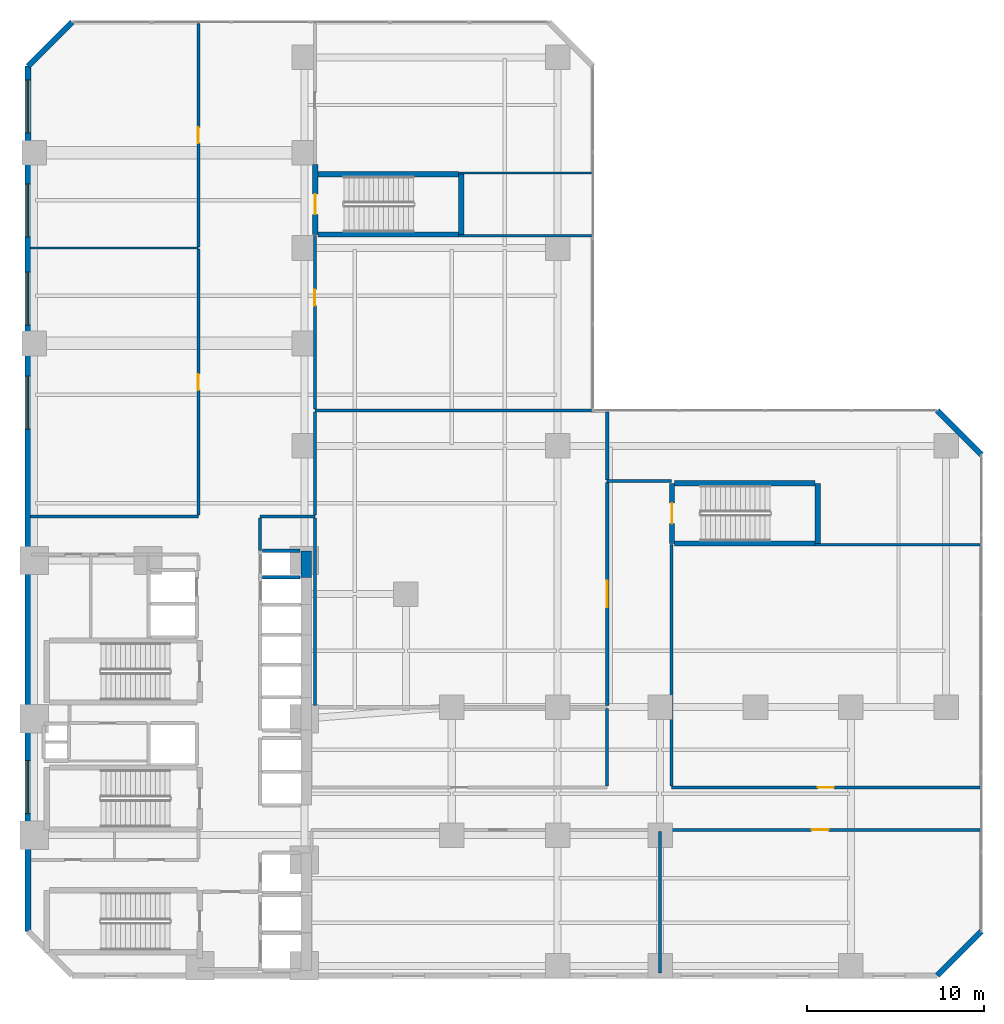
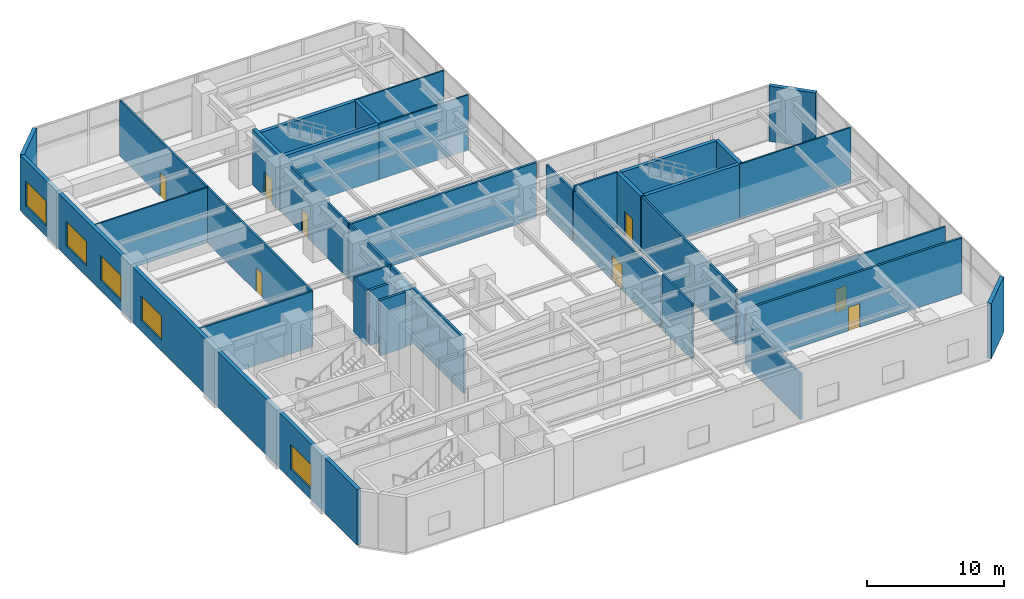
# One storey, part 16 of 22: 36 walls, 8 doors, 5 windows, 13 openings.
"""IFC4 building model written with IfcOpenShell, lengths in metres."""

from ifc_helpers import new_model, si_unit, direction, frame, frame_2d, origin, place, context, subcontext, project, spatial, rectangle, extrude, material, layer, layer_set, type_object, element, fill, save


model = new_model("IFC4")

# Units and contexts
model_context = context("Model", 3, precision=1e-05, world=origin(), true_north=direction((0.0, 1.0)))
body_context = subcontext(model_context, "Body", "Model", "MODEL_VIEW")
ifc_project = project(units=[si_unit("LENGTHUNIT", "METRE"), si_unit("AREAUNIT", "SQUARE_METRE"), si_unit("VOLUMEUNIT", "CUBIC_METRE"), si_unit("PLANEANGLEUNIT", "RADIAN"), si_unit("MASSUNIT", "GRAM", prefix="KILO")], contexts=[model_context])

# Site, building, storey
site_placement = place(None, origin())
site = spatial("IfcSite", under=ifc_project, at=site_placement, CompositionType="ELEMENT")
building_placement = place(site_placement, origin())
building = spatial("IfcBuilding", under=site, at=building_placement, Name="Mawjaban Terraces University", CompositionType="ELEMENT")
storey_placement = place(building_placement, frame((0.0, 0.0, 10.39990234375)))
storey = spatial("IfcBuildingStorey", under=building, at=storey_placement, Name="L02", CompositionType="ELEMENT", Elevation=10.39990234375)

# Wall
ifc_material_1 = material(Name="Acoustic masonry blockwork", Category="masonry")
ifc_layer_1 = layer(ifc_material_1, 0.179931640625)
ifc_layer_set_1 = layer_set([ifc_layer_1], Name="Acoustic masonry blockwork")
wall_type_1 = type_object("IfcWallType", Name="AcousticStudioWall_180", PredefinedType="PARTITIONING", material=ifc_layer_set_1)
wall_1_placement = place(storey_placement, frame((38.25, 32.0, 0.0), z_axis=(0.0, 0.0, 1.0), x_axis=(1.0, 0.0, 0.0)))
element("IfcWall", 1, at=wall_1_placement, inside=storey, type_object=wall_type_1, Name="L02 Digital Scholarship Reading Hall Partition 15", PredefinedType="PARTITIONING", context=body_context, shape_type="SweptSolid", body=[
    extrude(rectangle(XDim=15.659912109375, YDim=0.179931640625, at=frame_2d((7.830078125, 0.0))), origin(), (0.0, 0.0, 1.0), 4.920166015625),
])

# Wall, opening, door
wall_2_placement = place(storey_placement, frame((57.800048828125, 8.25, 0.0), z_axis=(0.0, 0.0, 1.0), x_axis=(1.0, 0.0, 0.0)))
wall_2 = element("IfcWall", 2, at=wall_2_placement, inside=storey, type_object=wall_type_1, Name="L02 Podium Academic Gallery Corridor Partition 19", PredefinedType="PARTITIONING", context=body_context, shape_type="SweptSolid", body=[
    extrude(rectangle(XDim=18.119873046875, YDim=0.179931640625, at=frame_2d((9.06005859375, 0.0))), origin(), (0.0, 0.0, 1.0), 4.920166015625),
])
opening_1_placement = place(wall_2_placement, frame((8.5849609375, 0.0, 0.0)))
opening_1 = element("IfcOpeningElement", 3, at=opening_1_placement, cuts=wall_2, Name="Opening ID-095", PredefinedType="OPENING", context=body_context, shape_type="SweptSolid", body=[
    extrude(rectangle(XDim=0.949951171875, YDim=2.10009765625, at=frame_2d((0.47509765625, 1.050048828125))), frame((0.0, 0.099853515625, 0.0), z_axis=(0.0, -1.0, 0.0), x_axis=(1.0, 0.0, 0.0)), (0.0, 0.0, 1.0), 0.199951171875),
])
ifc_material_2 = material(Name="Powder-coated steel frame and solid acoustic timber leaf", Category="steel")
door_type_1 = type_object("IfcDoorType", Name="StudioDoor_950x2100", OperationType="NOTDEFINED", PredefinedType="DOOR", material=ifc_material_2)
door_1_placement = place(opening_1_placement, origin())
door_1 = element("IfcDoor", 4, at=door_1_placement, inside=storey, type_object=door_type_1, Name="L02 Instructional Media Studio Door", OperationType="SINGLE_SWING_LEFT", OverallHeight=2.10009765625, OverallWidth=0.949951171875, PredefinedType="DOOR", context=body_context, shape_type="SweptSolid", body=[
    extrude(rectangle(XDim=0.949951171875, YDim=2.10009765625, at=frame_2d((0.47509765625, 1.050048828125))), frame((0.0, 0.02490234375, 0.0), z_axis=(0.0, -1.0, 0.0), x_axis=(1.0, 0.0, 0.0)), (0.0, 0.0, 1.0), 0.050048828125),
])
fill(opening_1, door_1)

# Walls
wall_3_placement = place(storey_placement, frame((38.25, 25.925048828125, 0.0), z_axis=(0.0, 0.0, 1.0), x_axis=(0.0, -1.0, 0.0)))
element("IfcWall", 5, at=wall_3_placement, inside=storey, type_object=wall_type_1, Name="L02 Fixed-Seat Lecture Theatre Partition 33", PredefinedType="PARTITIONING", context=body_context, shape_type="SweptSolid", body=[
    extrude(rectangle(XDim=10.64013671875, YDim=0.179931640625, at=frame_2d((5.320068359375, 0.0))), origin(), (0.0, 0.0, 1.0), 4.920166015625),
])
wall_4_placement = place(storey_placement, frame((38.25, 26.074951171875, 0.0), z_axis=(0.0, 0.0, 1.0), x_axis=(0.0, 1.0, 0.0)))
element("IfcWall", 6, at=wall_4_placement, inside=storey, type_object=wall_type_1, Name="L02 Podium Library Concourse Partition 34", PredefinedType="PARTITIONING", context=body_context, shape_type="SweptSolid", body=[
    extrude(rectangle(XDim=5.840087890625, YDim=0.179931640625, at=frame_2d((2.919921875, 0.0))), origin(), (0.0, 0.0, 1.0), 4.920166015625),
])
wall_5_placement = place(storey_placement, frame((54.800048828125, 28.074951171875, 0.0), z_axis=(0.0, 0.0, 1.0), x_axis=(0.0, 1.0, 0.0)))
element("IfcWall", 7, at=wall_5_placement, inside=storey, type_object=wall_type_1, Name="L02 Fixed-Seat Lecture Theatre Partition 38", PredefinedType="PARTITIONING", context=body_context, shape_type="SweptSolid", body=[
    extrude(rectangle(XDim=3.8349609375, YDim=0.179931640625, at=frame_2d((1.91748046875, 0.0))), origin(), (0.0, 0.0, 1.0), 4.451171875),
])

# Wall, opening, door
wall_6_placement = place(storey_placement, frame((54.800048828125, 27.925048828125, 0.0), z_axis=(0.0, 0.0, 1.0), x_axis=(0.0, -1.0, 0.0)))
wall_6 = element("IfcWall", 8, at=wall_6_placement, inside=storey, type_object=wall_type_1, Name="L02 East Stair Access Corridor Partition 39", PredefinedType="PARTITIONING", context=body_context, shape_type="SweptSolid", body=[
    extrude(rectangle(XDim=12.64013671875, YDim=0.179931640625, at=frame_2d((6.320068359375, 0.0))), origin(), (0.0, 0.0, 1.0), 4.451171875),
])
opening_2_placement = place(wall_6_placement, frame((5.570068359375, 0.0, 0.0)))
opening_2 = element("IfcOpeningElement", 9, at=opening_2_placement, cuts=wall_6, Name="Opening ID-150", PredefinedType="OPENING", context=body_context, shape_type="SweptSolid", body=[
    extrude(rectangle(XDim=1.5, YDim=2.199951171875, at=frame_2d((0.75, 1.10009765625))), frame((0.0, 0.099853515625, 0.0), z_axis=(0.0, -1.0, 0.0), x_axis=(1.0, 0.0, 0.0)), (0.0, 0.0, 1.0), 0.199951171875),
])
ifc_material_3 = material(Name="Powder-coated steel frame and fire-rated steel-faced leaf", Category="steel")
door_type_2 = type_object("IfcDoorType", Name="LectureDoubleDoor_1500x2200", OperationType="NOTDEFINED", PredefinedType="DOOR", material=ifc_material_3)
door_2_placement = place(opening_2_placement, origin())
door_2 = element("IfcDoor", 10, at=door_2_placement, inside=storey, type_object=door_type_2, Name="L02 Fixed-Seat Lecture Theatre Door", OperationType="SINGLE_SWING_LEFT", OverallHeight=2.199951171875, OverallWidth=1.5, PredefinedType="DOOR", context=body_context, shape_type="SweptSolid", body=[
    extrude(rectangle(XDim=1.5, YDim=2.199951171875, at=frame_2d((0.75, 1.10009765625))), frame((0.0, 0.02490234375, 0.0), z_axis=(0.0, -1.0, 0.0), x_axis=(1.0, 0.0, 0.0)), (0.0, 0.0, 1.0), 0.050048828125),
])
fill(opening_2, door_2)

# Walls
wall_7_placement = place(storey_placement, frame((57.800048828125, 0.155029296875, 0.0), z_axis=(0.0, 0.0, 1.0), x_axis=(0.0, 1.0, 0.0)))
element("IfcWall", 11, at=wall_7_placement, inside=storey, type_object=wall_type_1, Name="L02 Foundation Seminar Classroom Partition 40", PredefinedType="PARTITIONING", context=body_context, shape_type="SweptSolid", body=[
    extrude(rectangle(XDim=8.010009765625, YDim=0.179931640625, at=frame_2d((4.0048828125, 0.0))), origin(), (0.0, 0.0, 1.0), 4.065185546875),
])
ifc_material_4 = material(Name="Concrete C70/85", Category="concrete")
ifc_layer_2 = layer(ifc_material_4, 0.60009765625)
ifc_layer_set_2 = layer_set([ifc_layer_2], Name="Concrete C70/85")
wall_type_2 = type_object("IfcWallType", Name="CoreShearWall_600", PredefinedType="SHEAR", material=ifc_layer_set_2)
wall_8_placement = place(storey_placement, frame((37.75, 22.550048828125, 0.0), z_axis=(0.0, 0.0, 1.0), x_axis=(0.0, 1.0, 0.0)))
element("IfcWall", 12, at=wall_8_placement, inside=storey, type_object=wall_type_2, Name="L02 Lift PL-L2 Hoistway Wall East", PredefinedType="SHEAR", context=body_context, shape_type="SweptSolid", body=[
    extrude(rectangle(XDim=1.5, YDim=0.60009765625, at=frame_2d((0.75, 0.0))), origin(), (0.0, 0.0, 1.0), 4.920166015625),
])
ifc_material_5 = material(Name="Fire-rated gypsum board on steel stud", Category="steel")
ifc_layer_3 = layer(ifc_material_5, 0.159912109375)
ifc_layer_set_3 = layer_set([ifc_layer_3], Name="Fire-rated gypsum board on steel stud")
wall_type_3 = type_object("IfcWallType", Name="CorridorPartition_160", PredefinedType="PARTITIONING", material=ifc_layer_set_3)
wall_9_placement = place(storey_placement, frame((31.64990234375, 26.0, 0.0), z_axis=(0.0, 0.0, 1.0), x_axis=(-1.0, 0.0, 0.0)))
element("IfcWall", 13, at=wall_9_placement, inside=storey, type_object=wall_type_3, Name="L02 North Core Cross-Corridor Partition 9", PredefinedType="PARTITIONING", context=body_context, shape_type="SweptSolid", body=[
    extrude(rectangle(XDim=9.494873046875, YDim=0.159912109375, at=frame_2d((4.74755859375, 0.0))), origin(), (0.0, 0.0, 1.0), 4.920166015625),
])
wall_10_placement = place(storey_placement, frame((35.14990234375, 26.0, 0.0), z_axis=(0.0, 0.0, 1.0), x_axis=(1.0, 0.0, 0.0)))
element("IfcWall", 14, at=wall_10_placement, inside=storey, type_object=wall_type_3, Name="L02 Podium Library Concourse Partition 12", PredefinedType="PARTITIONING", context=body_context, shape_type="SweptSolid", body=[
    extrude(rectangle(XDim=3.10009765625, YDim=0.159912109375, at=frame_2d((1.550048828125, 0.0))), origin(), (0.0, 0.0, 1.0), 4.920166015625),
])
wall_11_placement = place(storey_placement, frame((58.449951171875, 28.0, 0.0), z_axis=(0.0, 0.0, 1.0), x_axis=(-1.0, 0.0, 0.0)))
element("IfcWall", 15, at=wall_11_placement, inside=storey, type_object=wall_type_3, Name="L02 East Stair Access Corridor Partition 20", PredefinedType="PARTITIONING", context=body_context, shape_type="SweptSolid", body=[
    extrude(rectangle(XDim=3.64990234375, YDim=0.159912109375, at=frame_2d((1.824951171875, 0.0))), origin(), (0.0, 0.0, 1.0), 4.920166015625),
])

# Wall, opening, door
wall_12_placement = place(storey_placement, frame((75.919921875, 10.64990234375, 0.0), z_axis=(0.0, 0.0, 1.0), x_axis=(-1.0, 0.0, 0.0)))
wall_12 = element("IfcWall", 16, at=wall_12_placement, inside=storey, type_object=wall_type_3, Name="L02 Podium Academic Gallery Corridor Partition 21", PredefinedType="PARTITIONING", context=body_context, shape_type="SweptSolid", body=[
    extrude(rectangle(XDim=17.469970703125, YDim=0.159912109375, at=frame_2d((8.73486328125, 0.0))), origin(), (0.0, 0.0, 1.0), 4.451171875),
])
opening_3_placement = place(wall_12_placement, frame((8.284912109375, 0.0, 0.0)))
opening_3 = element("IfcOpeningElement", 17, at=opening_3_placement, cuts=wall_12, Name="Opening ID-090", PredefinedType="OPENING", context=body_context, shape_type="SweptSolid", body=[
    extrude(rectangle(XDim=0.89990234375, YDim=2.10009765625, at=frame_2d((0.449951171875, 1.050048828125))), frame((0.0, 0.08984375, 0.0), z_axis=(0.0, -1.0, 0.0), x_axis=(1.0, 0.0, 0.0)), (0.0, 0.0, 1.0), 0.179931640625),
])
door_type_3 = type_object("IfcDoorType", Name="OfficeDoor_900x2100", OperationType="NOTDEFINED", PredefinedType="DOOR", material=ifc_material_2)
door_3_placement = place(opening_3_placement, origin())
door_3 = element("IfcDoor", 18, at=door_3_placement, inside=storey, type_object=door_type_3, Name="L02 Podium Colloquium Hall Door", OperationType="SINGLE_SWING_RIGHT", OverallHeight=2.10009765625, OverallWidth=0.89990234375, PredefinedType="DOOR", context=body_context, shape_type="SweptSolid", body=[
    extrude(rectangle(XDim=0.89990234375, YDim=2.10009765625, at=frame_2d((0.449951171875, 1.050048828125))), frame((0.0, 0.02490234375, 0.0), z_axis=(0.0, -1.0, 0.0), x_axis=(1.0, 0.0, 0.0)), (0.0, 0.0, 1.0), 0.050048828125),
])
fill(opening_3, door_3)

wall_13_placement = place(storey_placement, frame((31.64990234375, 41.14306640625, 0.0), z_axis=(0.0, 0.0, 1.0), x_axis=(0.0, -1.0, 0.0)))
wall_13 = element("IfcWall", 19, at=wall_13_placement, inside=storey, type_object=wall_type_3, Name="L02 Podium Library Concourse Partition 29", PredefinedType="PARTITIONING", context=body_context, shape_type="SweptSolid", body=[
    extrude(rectangle(XDim=15.068115234375, YDim=0.159912109375, at=frame_2d((7.5341796875, 0.0))), origin(), (0.0, 0.0, 1.0), 4.920166015625),
])
opening_4_placement = place(wall_13_placement, frame((7.083984375, 0.0, 0.0)))
opening_4 = element("IfcOpeningElement", 20, at=opening_4_placement, cuts=wall_13, Name="Opening ID-090", PredefinedType="OPENING", context=body_context, shape_type="SweptSolid", body=[
    extrude(rectangle(XDim=0.89990234375, YDim=2.10009765625, at=frame_2d((0.449951171875, 1.050048828125))), frame((0.0, 0.08984375, 0.0), z_axis=(0.0, -1.0, 0.0), x_axis=(1.0, 0.0, 0.0)), (0.0, 0.0, 1.0), 0.179931640625),
])
door_4_placement = place(opening_4_placement, origin())
door_4 = element("IfcDoor", 21, at=door_4_placement, inside=storey, type_object=door_type_3, Name="L02 Central Library Bookstack Hall Door", OperationType="SINGLE_SWING_RIGHT", OverallHeight=2.10009765625, OverallWidth=0.89990234375, PredefinedType="DOOR", context=body_context, shape_type="SweptSolid", body=[
    extrude(rectangle(XDim=0.89990234375, YDim=2.10009765625, at=frame_2d((0.449951171875, 1.050048828125))), frame((0.0, 0.02490234375, 0.0), z_axis=(0.0, -1.0, 0.0), x_axis=(1.0, 0.0, 0.0)), (0.0, 0.0, 1.0), 0.050048828125),
])
fill(opening_4, door_4)

wall_14_placement = place(storey_placement, frame((31.64990234375, 53.909912109375, 0.0), z_axis=(0.0, 0.0, 1.0), x_axis=(0.0, -1.0, 0.0)))
wall_14 = element("IfcWall", 22, at=wall_14_placement, inside=storey, type_object=wall_type_3, Name="L02 Podium Library Concourse Partition 30", PredefinedType="PARTITIONING", context=body_context, shape_type="SweptSolid", body=[
    extrude(rectangle(XDim=12.65185546875, YDim=0.159912109375, at=frame_2d((6.325927734375, 0.0))), origin(), (0.0, 0.0, 1.0), 4.920166015625),
])
opening_5_placement = place(wall_14_placement, frame((5.8759765625, 0.0, 0.0)))
opening_5 = element("IfcOpeningElement", 23, at=opening_5_placement, cuts=wall_14, Name="Opening ID-090", PredefinedType="OPENING", context=body_context, shape_type="SweptSolid", body=[
    extrude(rectangle(XDim=0.89990234375, YDim=2.10009765625, at=frame_2d((0.449951171875, 1.050048828125))), frame((0.0, 0.08984375, 0.0), z_axis=(0.0, -1.0, 0.0), x_axis=(1.0, 0.0, 0.0)), (0.0, 0.0, 1.0), 0.179931640625),
])
door_5_placement = place(opening_5_placement, origin())
door_5 = element("IfcDoor", 24, at=door_5_placement, inside=storey, type_object=door_type_3, Name="L02 Library Cataloguing and Faculty Office Door", OperationType="SINGLE_SWING_LEFT", OverallHeight=2.10009765625, OverallWidth=0.89990234375, PredefinedType="DOOR", context=body_context, shape_type="SweptSolid", body=[
    extrude(rectangle(XDim=0.89990234375, YDim=2.10009765625, at=frame_2d((0.449951171875, 1.050048828125))), frame((0.0, 0.02490234375, 0.0), z_axis=(0.0, -1.0, 0.0), x_axis=(1.0, 0.0, 0.0)), (0.0, 0.0, 1.0), 0.050048828125),
])
fill(opening_5, door_5)

# Wall
wall_15_placement = place(storey_placement, frame((35.14990234375, 24.070068359375, 0.0), z_axis=(0.0, 0.0, 1.0), x_axis=(0.0, 1.0, 0.0)))
element("IfcWall", 25, at=wall_15_placement, inside=storey, type_object=wall_type_3, Name="L02 North Core Cross-Corridor Partition 31", PredefinedType="PARTITIONING", context=body_context, shape_type="SweptSolid", body=[
    extrude(rectangle(XDim=1.85498046875, YDim=0.159912109375, at=frame_2d((0.927490234375, 0.0))), origin(), (0.0, 0.0, 1.0), 4.920166015625),
])

# Wall, opening, door
wall_16_placement = place(storey_placement, frame((38.25, 32.0849609375, 0.0), z_axis=(0.0, 0.0, 1.0), x_axis=(0.0, 1.0, 0.0)))
wall_16 = element("IfcWall", 26, at=wall_16_placement, inside=storey, type_object=wall_type_3, Name="L02 Podium Library Concourse Partition 35", PredefinedType="PARTITIONING", context=body_context, shape_type="SweptSolid", body=[
    extrude(rectangle(XDim=9.81494140625, YDim=0.159912109375, at=frame_2d((4.907470703125, 0.0))), origin(), (0.0, 0.0, 1.0), 4.920166015625),
])
opening_6_placement = place(wall_16_placement, frame((5.85693359375, 0.0, 0.0)))
opening_6 = element("IfcOpeningElement", 27, at=opening_6_placement, cuts=wall_16, Name="Opening ID-090", PredefinedType="OPENING", context=body_context, shape_type="SweptSolid", body=[
    extrude(rectangle(XDim=0.89990234375, YDim=2.10009765625, at=frame_2d((0.449951171875, 1.050048828125))), frame((0.0, 0.08984375, 0.0), z_axis=(0.0, -1.0, 0.0), x_axis=(1.0, 0.0, 0.0)), (0.0, 0.0, 1.0), 0.179931640625),
])
door_6_placement = place(opening_6_placement, origin())
door_6 = element("IfcDoor", 28, at=door_6_placement, inside=storey, type_object=door_type_3, Name="L02 Digital Scholarship Reading Hall Door", OperationType="SINGLE_SWING_RIGHT", OverallHeight=2.10009765625, OverallWidth=0.89990234375, PredefinedType="DOOR", context=body_context, shape_type="SweptSolid", body=[
    extrude(rectangle(XDim=0.89990234375, YDim=2.10009765625, at=frame_2d((0.449951171875, 1.050048828125))), frame((0.0, 0.02490234375, 0.0), z_axis=(0.0, -1.0, 0.0), x_axis=(1.0, 0.0, 0.0)), (0.0, 0.0, 1.0), 0.050048828125),
])
fill(opening_6, door_6)

# Walls
wall_17_placement = place(storey_placement, frame((54.800048828125, 15.114990234375, 0.0), z_axis=(0.0, 0.0, 1.0), x_axis=(0.0, -1.0, 0.0)))
element("IfcWall", 29, at=wall_17_placement, inside=storey, type_object=wall_type_3, Name="L02 East Stair Access Corridor Partition 37", PredefinedType="PARTITIONING", context=body_context, shape_type="SweptSolid", body=[
    extrude(rectangle(XDim=4.389892578125, YDim=0.159912109375, at=frame_2d((2.19482421875, 0.0))), origin(), (0.0, 0.0, 1.0), 4.920166015625),
])
wall_18_placement = place(storey_placement, frame((58.449951171875, 10.72509765625, 0.0), z_axis=(0.0, 0.0, 1.0), x_axis=(0.0, 1.0, 0.0)))
element("IfcWall", 30, at=wall_18_placement, inside=storey, type_object=wall_type_3, Name="L02 East Stair Access Corridor Partition 41", PredefinedType="PARTITIONING", context=body_context, shape_type="SweptSolid", body=[
    extrude(rectangle(XDim=13.6748046875, YDim=0.159912109375, at=frame_2d((6.83740234375, 0.0))), origin(), (0.0, 0.0, 1.0), 4.920166015625),
])
ifc_material_6 = material(Name="Insulated terracotta rainscreen on concrete backup C40/50", Category="masonry")
ifc_layer_4 = layer(ifc_material_6, 0.320068359375)
ifc_layer_set_4 = layer_set([ifc_layer_4], Name="Insulated terracotta rainscreen on concrete backup C40/50")
wall_type_4 = type_object("IfcWallType", Name="ExtTerracottaWall_320", PredefinedType="SOLIDWALL", material=ifc_layer_set_4)
for number, where, z_axis, x_axis, name in (
    (31, (73.5, 0.0, 0.0), (0.0, 0.0, 1.0), (0.707106781187, 0.707106781187, 0.0), "L02 Exterior Terracotta Wall 2"),
    (32, (76.0, 29.5, 0.0), (0.0, 0.0, 1.0), (-0.707106781187, 0.707106781187, 0.0), "L02 Exterior Terracotta Wall 4"),
    (33, (24.5, 54.0, 0.0), (0.0, 0.0, 1.0), (-0.707106781187, -0.707106781187, 0.0), "L02 Exterior Terracotta Wall 9"),
):
    element("IfcWall", number, at=place(storey_placement, frame(where, z_axis=z_axis, x_axis=x_axis)), inside=storey, type_object=wall_type_4, Name=name, PredefinedType="SOLIDWALL", context=body_context, shape_type="SweptSolid", body=[
        extrude(rectangle(XDim=3.53564453125, YDim=0.320068359375, at=frame_2d((1.767822265625, 0.0))), origin(), (0.0, 0.0, 1.0), 4.920166015625),
    ])

# Wall, openings, windows
wall_19_placement = place(storey_placement, frame((22.0, 51.5, 0.0), z_axis=(0.0, 0.0, 1.0), x_axis=(0.0, -1.0, 0.0)))
wall_19 = element("IfcWall", 34, at=wall_19_placement, inside=storey, type_object=wall_type_4, Name="L02 Exterior Terracotta Wall 10", PredefinedType="SOLIDWALL", context=body_context, shape_type="SweptSolid", body=[
    extrude(rectangle(XDim=49.0, YDim=0.320068359375, at=frame_2d((24.5, 0.0))), origin(), (0.0, 0.0, 1.0), 4.920166015625),
])
opening_7_placement = place(wall_19_placement, frame((0.77197265625, 0.0, 0.89990234375)))
opening_7 = element("IfcOpeningElement", 35, at=opening_7_placement, cuts=wall_19, Name="Opening W-12", PredefinedType="OPENING", context=body_context, shape_type="SweptSolid", body=[
    extrude(rectangle(XDim=3.0, YDim=2.199951171875, at=frame_2d((1.5, 1.10009765625))), frame((0.0, 0.169921875, 0.0), z_axis=(0.0, -1.0, 0.0), x_axis=(1.0, 0.0, 0.0)), (0.0, 0.0, 1.0), 0.340087890625),
])
opening_8_placement = place(wall_19_placement, frame((6.6669921875, 0.0, 0.89990234375)))
opening_8 = element("IfcOpeningElement", 36, at=opening_8_placement, cuts=wall_19, Name="Opening W-12", PredefinedType="OPENING", context=body_context, shape_type="SweptSolid", body=[
    extrude(rectangle(XDim=3.0, YDim=2.199951171875, at=frame_2d((1.5, 1.10009765625))), frame((0.0, 0.169921875, 0.0), z_axis=(0.0, -1.0, 0.0), x_axis=(1.0, 0.0, 0.0)), (0.0, 0.0, 1.0), 0.340087890625),
])
opening_9_placement = place(wall_19_placement, frame((11.660888671875, 0.0, 0.89990234375)))
opening_9 = element("IfcOpeningElement", 37, at=opening_9_placement, cuts=wall_19, Name="Opening W-12", PredefinedType="OPENING", context=body_context, shape_type="SweptSolid", body=[
    extrude(rectangle(XDim=3.0, YDim=2.199951171875, at=frame_2d((1.5, 1.10009765625))), frame((0.0, 0.169921875, 0.0), z_axis=(0.0, -1.0, 0.0), x_axis=(1.0, 0.0, 0.0)), (0.0, 0.0, 1.0), 0.340087890625),
])
opening_10_placement = place(wall_19_placement, frame((17.555908203125, 0.0, 0.89990234375)))
opening_10 = element("IfcOpeningElement", 38, at=opening_10_placement, cuts=wall_19, Name="Opening W-12", PredefinedType="OPENING", context=body_context, shape_type="SweptSolid", body=[
    extrude(rectangle(XDim=3.0, YDim=2.199951171875, at=frame_2d((1.5, 1.10009765625))), frame((0.0, 0.169921875, 0.0), z_axis=(0.0, -1.0, 0.0), x_axis=(1.0, 0.0, 0.0)), (0.0, 0.0, 1.0), 0.340087890625),
])
opening_11_placement = place(wall_19_placement, frame((39.3330078125, 0.0, 0.89990234375)))
opening_11 = element("IfcOpeningElement", 39, at=opening_11_placement, cuts=wall_19, Name="Opening W-12", PredefinedType="OPENING", context=body_context, shape_type="SweptSolid", body=[
    extrude(rectangle(XDim=3.0, YDim=2.199951171875, at=frame_2d((1.5, 1.10009765625))), frame((0.0, 0.169921875, 0.0), z_axis=(0.0, -1.0, 0.0), x_axis=(1.0, 0.0, 0.0)), (0.0, 0.0, 1.0), 0.340087890625),
])
ifc_material_7 = material(Name="Low-E solar-control double glazing in thermally broken aluminium frame", Category="aluminium")
window_type = type_object("IfcWindowType", Name="Win_3000x2200", PartitioningType="SINGLE_PANEL", PredefinedType="WINDOW", material=ifc_material_7)
window_1_placement = place(opening_7_placement, origin())
window_1 = element("IfcWindow", 40, at=window_1_placement, inside=storey, type_object=window_type, Name="L02 Facade Window 10.1", OverallHeight=2.199951171875, OverallWidth=3.0, PartitioningType="SINGLE_PANEL", PredefinedType="WINDOW", context=body_context, shape_type="SweptSolid", body=[
    extrude(rectangle(XDim=3.0, YDim=2.199951171875, at=frame_2d((1.5, 1.10009765625))), frame((0.0, 0.030029296875, 0.0), z_axis=(0.0, -1.0, 0.0), x_axis=(1.0, 0.0, 0.0)), (0.0, 0.0, 1.0), 0.06005859375),
])
fill(opening_7, window_1)
window_2_placement = place(opening_8_placement, origin())
window_2 = element("IfcWindow", 41, at=window_2_placement, inside=storey, type_object=window_type, Name="L02 Facade Window 10.2", OverallHeight=2.199951171875, OverallWidth=3.0, PartitioningType="SINGLE_PANEL", PredefinedType="WINDOW", context=body_context, shape_type="SweptSolid", body=[
    extrude(rectangle(XDim=3.0, YDim=2.199951171875, at=frame_2d((1.5, 1.10009765625))), frame((0.0, 0.030029296875, 0.0), z_axis=(0.0, -1.0, 0.0), x_axis=(1.0, 0.0, 0.0)), (0.0, 0.0, 1.0), 0.06005859375),
])
fill(opening_8, window_2)
window_3_placement = place(opening_9_placement, origin())
window_3 = element("IfcWindow", 42, at=window_3_placement, inside=storey, type_object=window_type, Name="L02 Facade Window 10.3", OverallHeight=2.199951171875, OverallWidth=3.0, PartitioningType="SINGLE_PANEL", PredefinedType="WINDOW", context=body_context, shape_type="SweptSolid", body=[
    extrude(rectangle(XDim=3.0, YDim=2.199951171875, at=frame_2d((1.5, 1.10009765625))), frame((0.0, 0.030029296875, 0.0), z_axis=(0.0, -1.0, 0.0), x_axis=(1.0, 0.0, 0.0)), (0.0, 0.0, 1.0), 0.06005859375),
])
fill(opening_9, window_3)
window_4_placement = place(opening_10_placement, origin())
window_4 = element("IfcWindow", 43, at=window_4_placement, inside=storey, type_object=window_type, Name="L02 Facade Window 10.4", OverallHeight=2.199951171875, OverallWidth=3.0, PartitioningType="SINGLE_PANEL", PredefinedType="WINDOW", context=body_context, shape_type="SweptSolid", body=[
    extrude(rectangle(XDim=3.0, YDim=2.199951171875, at=frame_2d((1.5, 1.10009765625))), frame((0.0, 0.030029296875, 0.0), z_axis=(0.0, -1.0, 0.0), x_axis=(1.0, 0.0, 0.0)), (0.0, 0.0, 1.0), 0.06005859375),
])
fill(opening_10, window_4)
window_5_placement = place(opening_11_placement, origin())
window_5 = element("IfcWindow", 44, at=window_5_placement, inside=storey, type_object=window_type, Name="L02 Facade Window 10.8", OverallHeight=2.199951171875, OverallWidth=3.0, PartitioningType="SINGLE_PANEL", PredefinedType="WINDOW", context=body_context, shape_type="SweptSolid", body=[
    extrude(rectangle(XDim=3.0, YDim=2.199951171875, at=frame_2d((1.5, 1.10009765625))), frame((0.0, 0.030029296875, 0.0), z_axis=(0.0, -1.0, 0.0), x_axis=(1.0, 0.0, 0.0)), (0.0, 0.0, 1.0), 0.06005859375),
])
fill(opening_11, window_5)

# Walls
ifc_material_8 = material(Name="Concrete C40/50", Category="concrete")
ifc_layer_5 = layer(ifc_material_8, 0.199951171875)
ifc_layer_set_5 = layer_set([ifc_layer_5], Name="Concrete C40/50")
wall_type_5 = type_object("IfcWallType", Name="FireLobbyWall_200", PredefinedType="SOLIDWALL", material=ifc_layer_set_5)
for number, where, z_axis, x_axis, name in (
    (45, (37.419921875, 22.550048828125, 0.0), (0.0, 0.0, 1.0), (-1.0, 0.0, 0.0), "L02 Lift PL-L1 Hoistway Wall North"),
    (46, (37.419921875, 24.050048828125, 0.0), (0.0, 0.0, 1.0), (-1.0, 0.0, 0.0), "L02 Lift PL-L2 Hoistway Wall North"),
):
    element("IfcWall", number, at=place(storey_placement, frame(where, z_axis=z_axis, x_axis=x_axis)), inside=storey, type_object=wall_type_5, Name=name, PredefinedType="SOLIDWALL", context=body_context, shape_type="SweptSolid", body=[
        extrude(rectangle(XDim=2.139892578125, YDim=0.199951171875, at=frame_2d((1.06982421875, 0.0))), origin(), (0.0, 0.0, 1.0), 4.920166015625),
    ])
ifc_material_9 = material(Name="Gypsum plasterboard on steel stud", Category="steel")
ifc_layer_6 = layer(ifc_material_9, 0.125)
ifc_layer_set_6 = layer_set([ifc_layer_6], Name="Gypsum plasterboard on steel stud")
wall_type_6 = type_object("IfcWallType", Name="OfficePartition_125", PredefinedType="PARTITIONING", material=ifc_layer_set_6)
wall_20_placement = place(storey_placement, frame((31.64990234375, 41.199951171875, 0.0), z_axis=(0.0, 0.0, 1.0), x_axis=(-1.0, 0.0, 0.0)))
element("IfcWall", 47, at=wall_20_placement, inside=storey, type_object=wall_type_6, Name="L02 Central Library Bookstack Hall Partition 10", PredefinedType="PARTITIONING", context=body_context, shape_type="SweptSolid", body=[
    extrude(rectangle(XDim=9.494873046875, YDim=0.125, at=frame_2d((4.74755859375, 0.0))), origin(), (0.0, 0.0, 1.0), 4.920166015625),
])
for number, where, z_axis, x_axis, name in (
    (48, (46.3798828125, 45.449951171875, 0.0), (0.0, 0.0, 1.0), (1.0, 0.0, 0.0), "L02 Special Collections Study Room Partition 16"),
    (49, (53.909912109375, 41.89990234375, 0.0), (0.0, 0.0, 1.0), (-1.0, 0.0, 0.0), "L02 Digital Scholarship Reading Hall Partition 17"),
):
    element("IfcWall", number, at=place(storey_placement, frame(where, z_axis=z_axis, x_axis=x_axis)), inside=storey, type_object=wall_type_6, Name=name, PredefinedType="PARTITIONING", context=body_context, shape_type="SweptSolid", body=[
        extrude(rectangle(XDim=7.530029296875, YDim=0.125, at=frame_2d((3.76513671875, 0.0))), origin(), (0.0, 0.0, 1.0), 4.920166015625),
    ])
wall_21_placement = place(storey_placement, frame((75.919921875, 24.39990234375, 0.0), z_axis=(0.0, 0.0, 1.0), x_axis=(-1.0, 0.0, 0.0)))
element("IfcWall", 50, at=wall_21_placement, inside=storey, type_object=wall_type_6, Name="L02 Podium Colloquium Hall Partition 22", PredefinedType="PARTITIONING", context=body_context, shape_type="SweptSolid", body=[
    extrude(rectangle(XDim=9.33984375, YDim=0.125, at=frame_2d((4.669921875, 0.0))), origin(), (0.0, 0.0, 1.0), 4.920166015625),
])
ifc_material_10 = material(Name="Concrete C60/75", Category="concrete")
ifc_layer_7 = layer(ifc_material_10, 0.300048828125)
ifc_layer_set_7 = layer_set([ifc_layer_7], Name="Concrete C60/75")
wall_type_7 = type_object("IfcWallType", Name="StairShaftWall_300", PredefinedType="SHEAR", material=ifc_layer_set_7)
wall_22_placement = place(storey_placement, frame((38.419921875, 41.969970703125, 0.0), z_axis=(0.0, 0.0, 1.0), x_axis=(1.0, 0.0, 0.0)))
element("IfcWall", 51, at=wall_22_placement, inside=storey, type_object=wall_type_7, Name="L02 ST-4 Stair Shaft Wall 1", PredefinedType="SHEAR", context=body_context, shape_type="SweptSolid", body=[
    extrude(rectangle(XDim=7.9599609375, YDim=0.300048828125, at=frame_2d((3.97998046875, 0.0))), origin(), (0.0, 0.0, 1.0), 4.920166015625),
])
wall_23_placement = place(storey_placement, frame((46.530029296875, 41.969970703125, 0.0), z_axis=(0.0, 0.0, 1.0), x_axis=(0.0, 1.0, 0.0)))
element("IfcWall", 52, at=wall_23_placement, inside=storey, type_object=wall_type_7, Name="L02 ST-4 Stair Shaft Wall 2", PredefinedType="SHEAR", context=body_context, shape_type="SweptSolid", body=[
    extrude(rectangle(XDim=3.409912109375, YDim=0.300048828125, at=frame_2d((1.705078125, 0.0))), origin(), (0.0, 0.0, 1.0), 4.920166015625),
])
wall_24_placement = place(storey_placement, frame((46.3798828125, 45.3798828125, 0.0), z_axis=(0.0, 0.0, 1.0), x_axis=(-1.0, 0.0, 0.0)))
element("IfcWall", 53, at=wall_24_placement, inside=storey, type_object=wall_type_7, Name="L02 ST-4 Stair Shaft Wall 3", PredefinedType="SHEAR", context=body_context, shape_type="SweptSolid", body=[
    extrude(rectangle(XDim=7.9599609375, YDim=0.300048828125, at=frame_2d((3.97998046875, 0.0))), origin(), (0.0, 0.0, 1.0), 4.920166015625),
])

# Wall, opening, door
wall_25_placement = place(storey_placement, frame((38.27001953125, 45.919921875, 0.0), z_axis=(0.0, 0.0, 1.0), x_axis=(0.0, -1.0, 0.0)))
wall_25 = element("IfcWall", 54, at=wall_25_placement, inside=storey, type_object=wall_type_7, Name="L02 ST-4 Stair Shaft Wall 4", PredefinedType="SHEAR", context=body_context, shape_type="SweptSolid", body=[
    extrude(rectangle(XDim=3.949951171875, YDim=0.300048828125, at=frame_2d((1.97509765625, 0.0))), origin(), (0.0, 0.0, 1.0), 4.920166015625),
])
opening_12_placement = place(wall_25_placement, frame((1.669921875, 0.0, 0.0)))
opening_12 = element("IfcOpeningElement", 55, at=opening_12_placement, cuts=wall_25, Name="Opening FD-115", PredefinedType="OPENING", context=body_context, shape_type="SweptSolid", body=[
    extrude(rectangle(XDim=1.14990234375, YDim=2.14990234375, at=frame_2d((0.574951171875, 1.074951171875))), frame((0.0, 0.159912109375, 0.0), z_axis=(0.0, -1.0, 0.0), x_axis=(1.0, 0.0, 0.0)), (0.0, 0.0, 1.0), 0.320068359375),
])
door_type_4 = type_object("IfcDoorType", Name="FireStairDoor_1150x2150", OperationType="NOTDEFINED", PredefinedType="DOOR", material=ifc_material_3)
door_7_placement = place(opening_12_placement, origin())
door_7 = element("IfcDoor", 56, at=door_7_placement, inside=storey, type_object=door_type_4, Name="L02 ST-4 Pressurised Stair Fire Door", OperationType="SINGLE_SWING_LEFT", OverallHeight=2.14990234375, OverallWidth=1.14990234375, PredefinedType="DOOR", context=body_context, shape_type="SweptSolid", body=[
    extrude(rectangle(XDim=1.14990234375, YDim=2.14990234375, at=frame_2d((0.574951171875, 1.074951171875))), frame((0.0, 0.02490234375, 0.0), z_axis=(0.0, -1.0, 0.0), x_axis=(1.0, 0.0, 0.0)), (0.0, 0.0, 1.0), 0.050048828125),
])
fill(opening_12, door_7)

# Walls
wall_26_placement = place(storey_placement, frame((58.6201171875, 24.469970703125, 0.0), z_axis=(0.0, 0.0, 1.0), x_axis=(1.0, 0.0, 0.0)))
element("IfcWall", 57, at=wall_26_placement, inside=storey, type_object=wall_type_7, Name="L02 ST-5 Stair Shaft Wall 1", PredefinedType="SHEAR", context=body_context, shape_type="SweptSolid", body=[
    extrude(rectangle(XDim=7.9599609375, YDim=0.300048828125, at=frame_2d((3.97998046875, 0.0))), origin(), (0.0, 0.0, 1.0), 4.920166015625),
])
wall_27_placement = place(storey_placement, frame((66.72998046875, 24.469970703125, 0.0), z_axis=(0.0, 0.0, 1.0), x_axis=(0.0, 1.0, 0.0)))
element("IfcWall", 58, at=wall_27_placement, inside=storey, type_object=wall_type_7, Name="L02 ST-5 Stair Shaft Wall 2", PredefinedType="SHEAR", context=body_context, shape_type="SweptSolid", body=[
    extrude(rectangle(XDim=3.409912109375, YDim=0.300048828125, at=frame_2d((1.705078125, 0.0))), origin(), (0.0, 0.0, 1.0), 4.920166015625),
])
wall_28_placement = place(storey_placement, frame((66.580078125, 27.8798828125, 0.0), z_axis=(0.0, 0.0, 1.0), x_axis=(-1.0, 0.0, 0.0)))
element("IfcWall", 59, at=wall_28_placement, inside=storey, type_object=wall_type_7, Name="L02 ST-5 Stair Shaft Wall 3", PredefinedType="SHEAR", context=body_context, shape_type="SweptSolid", body=[
    extrude(rectangle(XDim=7.9599609375, YDim=0.300048828125, at=frame_2d((3.97998046875, 0.0))), origin(), (0.0, 0.0, 1.0), 4.920166015625),
])

# Wall, opening, door
wall_29_placement = place(storey_placement, frame((58.469970703125, 27.8798828125, 0.0), z_axis=(0.0, 0.0, 1.0), x_axis=(0.0, -1.0, 0.0)))
wall_29 = element("IfcWall", 60, at=wall_29_placement, inside=storey, type_object=wall_type_7, Name="L02 ST-5 Stair Shaft Wall 4", PredefinedType="SHEAR", context=body_context, shape_type="SweptSolid", body=[
    extrude(rectangle(XDim=3.409912109375, YDim=0.300048828125, at=frame_2d((1.705078125, 0.0))), origin(), (0.0, 0.0, 1.0), 4.920166015625),
])
opening_13_placement = place(wall_29_placement, frame((1.1298828125, 0.0, 0.0)))
opening_13 = element("IfcOpeningElement", 61, at=opening_13_placement, cuts=wall_29, Name="Opening FD-115", PredefinedType="OPENING", context=body_context, shape_type="SweptSolid", body=[
    extrude(rectangle(XDim=1.14990234375, YDim=2.14990234375, at=frame_2d((0.574951171875, 1.074951171875))), frame((0.0, 0.159912109375, 0.0), z_axis=(0.0, -1.0, 0.0), x_axis=(1.0, 0.0, 0.0)), (0.0, 0.0, 1.0), 0.320068359375),
])
door_8_placement = place(opening_13_placement, origin())
door_8 = element("IfcDoor", 62, at=door_8_placement, inside=storey, type_object=door_type_4, Name="L02 ST-5 Pressurised Stair Fire Door", OperationType="SINGLE_SWING_RIGHT", OverallHeight=2.14990234375, OverallWidth=1.14990234375, PredefinedType="DOOR", context=body_context, shape_type="SweptSolid", body=[
    extrude(rectangle(XDim=1.14990234375, YDim=2.14990234375, at=frame_2d((0.574951171875, 1.074951171875))), frame((0.0, 0.02490234375, 0.0), z_axis=(0.0, -1.0, 0.0), x_axis=(1.0, 0.0, 0.0)), (0.0, 0.0, 1.0), 0.050048828125),
])
fill(opening_13, door_8)

save(model, "model.ifc")
